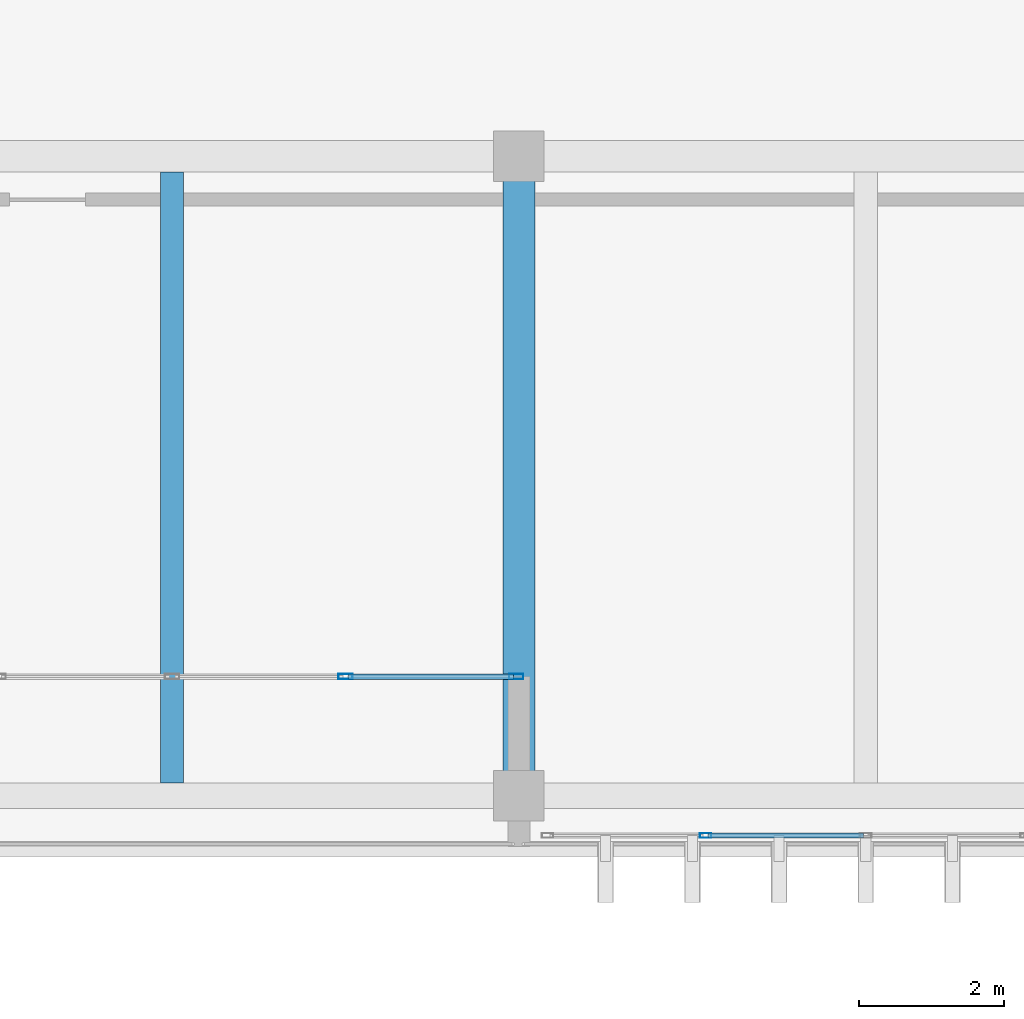
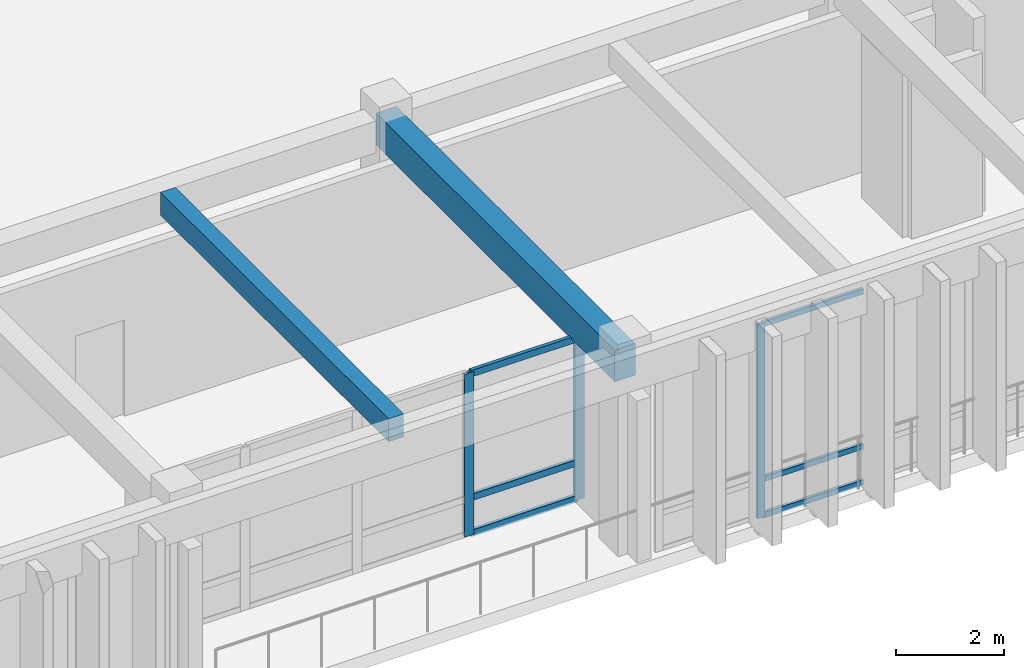
# One storey, part 11 of 133: 9 members, 2 beams, 2 elements without a shape of their own.
"""IFC4 building model written with IfcOpenShell, lengths in metres."""

import ifcopenshell
import ifcopenshell.guid

model = None  # the IFC model being written
_history = None  # IfcOwnerHistory: only IFC2X3 demands one
_inside = {}  # id of a spatial element -> (the spatial element, [elements in it])
_under = {}  # id of a project, library or spatial element -> (it, [spatial elements below it])
_declared = {}  # id of a project -> (the project, [libraries it declares])
_typed = {}  # id of a type object -> (the type object, [elements of that type])
_made_of = {}  # id of a material, layer set ... -> (it, [elements and type objects made of it])


def new_model(schema):
    """Start an empty IFC model of exactly this schema.

    Asked for "IFC4X3", IfcOpenShell would pick the latest addendum, in which some entities
    have other attributes; the version numbers below select the first issue.
    IFC2X3 requires an IfcOwnerHistory on every rooted entity: one is made here for all.
    """
    global model, _history
    if schema == "IFC4X3":
        model = ifcopenshell.file(schema_version=(4, 3, 0, 0))
    else:
        model = ifcopenshell.file(schema=schema)
    _inside.clear()
    _under.clear()
    _declared.clear()
    _typed.clear()
    _made_of.clear()
    _history = None
    if model.schema == "IFC2X3":
        org = make("IfcOrganization", Name="unknown")
        user = make(
            "IfcPersonAndOrganization",
            ThePerson=make("IfcPerson", FamilyName="unknown"),
            TheOrganization=org,
        )
        app = make(
            "IfcApplication",
            ApplicationDeveloper=org,
            Version="unknown",
            ApplicationFullName="unknown",
            ApplicationIdentifier="unknown",
        )
        _history = make(
            "IfcOwnerHistory",
            OwningUser=user,
            OwningApplication=app,
            ChangeAction="ADDED",
            CreationDate=0,
        )
    return model


def make(cls, **values):
    """One entity of the class cls with the attributes given. An attribute that is None is left unset."""
    return model.create_entity(
        cls, **{name: value for name, value in values.items() if value is not None}
    )


def rooted(cls, **values):
    """An entity with a GlobalId (a new one), such as an element, a storey or a relation."""
    return make(cls, GlobalId=ifcopenshell.guid.new(), OwnerHistory=_history, **values)


def si_unit(unit_type, name, prefix=None):
    """IfcSIUnit, for example si_unit("LENGTHUNIT", "METRE", prefix="MILLI")."""
    return make("IfcSIUnit", UnitType=unit_type, Prefix=prefix, Name=name)


def assignment(units):
    """IfcUnitAssignment: the units of a project."""
    return None if units is None else make("IfcUnitAssignment", Units=units)


def point(xyz):
    """IfcCartesianPoint."""
    return None if xyz is None else make("IfcCartesianPoint", Coordinates=xyz)


def direction(xyz):
    """IfcDirection."""
    return None if xyz is None else make("IfcDirection", DirectionRatios=xyz)


def frame(location, z_axis=None, x_axis=None):
    """IfcAxis2Placement3D, a coordinate frame: its origin and axes. An axis left out is left unset."""
    return make(
        "IfcAxis2Placement3D",
        Location=point(location),
        Axis=direction(z_axis),
        RefDirection=direction(x_axis),
    )


def frame_2d(location, x_axis=None):
    """IfcAxis2Placement2D, a coordinate frame in the plane: its origin and x axis."""
    return make(
        "IfcAxis2Placement2D", Location=point(location), RefDirection=direction(x_axis)
    )


def origin():
    """The frame at (0, 0, 0) with its axes left unset."""
    return frame((0.0, 0.0, 0.0))


def origin_2d():
    """The frame at (0, 0) in the plane with its x axis left unset."""
    return frame_2d((0.0, 0.0))


def place(relative_to, where):
    """IfcLocalPlacement: puts the frame where relative to a parent placement (None: the world)."""
    return make(
        "IfcLocalPlacement", PlacementRelTo=relative_to, RelativePlacement=where
    )


def context(
    kind, dimensions, precision=None, world=None, true_north=None, identifier=None
):
    """IfcGeometricRepresentationContext, for example the 3D "Model" context."""
    return make(
        "IfcGeometricRepresentationContext",
        ContextIdentifier=identifier,
        ContextType=kind,
        CoordinateSpaceDimension=dimensions,
        Precision=precision,
        WorldCoordinateSystem=world,
        TrueNorth=true_north,
    )


def subcontext(parent, identifier, kind, view, scale=None):
    """IfcGeometricRepresentationSubContext, for example "Body" below "Model"."""
    return make(
        "IfcGeometricRepresentationSubContext",
        ContextIdentifier=identifier,
        ContextType=kind,
        ParentContext=parent,
        TargetScale=scale,
        TargetView=view,
    )


def project(units=None, contexts=None):
    """IfcProject with its units and contexts."""
    return rooted(
        "IfcProject",
        Name="project",
        RepresentationContexts=contexts,
        UnitsInContext=assignment(units),
    )


def spatial(cls, under=None, at=None, **own):
    """A site, building, storey or space (cls), placed at a placement, below another one or the project."""
    s = rooted(cls, ObjectPlacement=at, **own)
    if under is not None:
        _under.setdefault(under.id(), (under, []))[1].append(s)
    return s


def profile(cls, at=None, kind="AREA", **sizes):
    """A parametric profile (cls). Its sizes go by their IFC names, for example OverallWidth=200.0."""
    return make(cls, ProfileType=kind, Position=at, **sizes)


def rectangle(**sizes):
    """IfcRectangleProfileDef."""
    return profile("IfcRectangleProfileDef", **sizes)


def hollow_rectangle(**sizes):
    """IfcRectangleHollowProfileDef."""
    return profile("IfcRectangleHollowProfileDef", **sizes)


def extrude(swept, where, along, depth):
    """IfcExtrudedAreaSolid: the profile swept, set in the frame where, extruded along a direction by depth."""
    return make(
        "IfcExtrudedAreaSolid",
        SweptArea=swept,
        Position=where,
        ExtrudedDirection=direction(along),
        Depth=depth,
    )


def shape(context_of_items, identifier, shape_type, items):
    """IfcShapeRepresentation: the items that make up one representation, for example the "Body"."""
    return make(
        "IfcShapeRepresentation",
        ContextOfItems=context_of_items,
        RepresentationIdentifier=identifier,
        RepresentationType=shape_type,
        Items=items,
    )


def material(Name=None, Category=None):
    """IfcMaterial."""
    return make("IfcMaterial", Name=Name, Category=Category)


def layer(
    of_material, thickness, ventilated=None, Name=None, Category=None, Priority=None
):
    """IfcMaterialLayer: one layer of a wall or slab, of a material (None: an air gap)."""
    return make(
        "IfcMaterialLayer",
        Material=of_material,
        LayerThickness=thickness,
        IsVentilated=ventilated,
        Name=Name,
        Category=Category,
        Priority=Priority,
    )


def layer_set(layers, Name=None):
    """IfcMaterialLayerSet."""
    return make("IfcMaterialLayerSet", MaterialLayers=layers, LayerSetName=Name)


def material_profile(
    of_material, cross_section, Name=None, Category=None, Priority=None
):
    """IfcMaterialProfile: a cross section and its material."""
    return make(
        "IfcMaterialProfile",
        Name=Name,
        Material=of_material,
        Profile=cross_section,
        Priority=Priority,
        Category=Category,
    )


def profile_set(profiles, Name=None, composite=None):
    """IfcMaterialProfileSet."""
    return make(
        "IfcMaterialProfileSet",
        Name=Name,
        MaterialProfiles=profiles,
        CompositeProfile=composite,
    )


def made_of(thing, what):
    """Note that an element or type object is made of a material, layer set ...; save() writes the relation."""
    if what is not None:
        _made_of.setdefault(what.id(), (what, []))[1].append(thing)
    return thing


def type_object(cls, material=None, **own):
    """A type object (cls), such as IfcWallType, which elements share."""
    return made_of(rooted(cls, **own), material)


def element(
    cls,
    number,
    at=None,
    inside=None,
    cuts=None,
    type_object=None,
    material=None,
    context=None,
    identifier="Body",
    shape_type=None,
    held_by="IfcProductDefinitionShape",
    body=None,
    shapes=None,
    **own,
):
    """One element of the class cls, such as IfcWall. Its Tag is "e" and its number.

    at: its placement. inside: the storey or other place that contains it. cuts: it is an
    opening in that element (IfcRelVoidsElement). A single representation is given by context,
    identifier, shape_type and body (its items); several are given by shapes. held_by: the class
    of the entity that holds the representations. save() writes the other relations.
    """
    e = rooted(cls, Tag="e%d" % number, ObjectPlacement=at, **own)
    if body is not None:
        shapes = [shape(context, identifier, shape_type, body)]
    if shapes is not None:
        e.Representation = make(held_by, Representations=shapes)
    if inside is not None:
        _inside.setdefault(inside.id(), (inside, []))[1].append(e)
    if cuts is not None:
        rooted(
            "IfcRelVoidsElement", RelatingBuildingElement=cuts, RelatedOpeningElement=e
        )
    if type_object is not None:
        _typed.setdefault(type_object.id(), (type_object, []))[1].append(e)
    return made_of(e, material)


def aggregate(whole, parts):
    """IfcRelAggregates: a whole, such as a stair, and the parts it consists of."""
    return rooted("IfcRelAggregates", RelatingObject=whole, RelatedObjects=parts)


def save(model, path):
    """Write the relations noted so far, then the file.

    IfcRelAggregates (storeys below a building ...), IfcRelContainedInSpatialStructure (elements
    in a storey), IfcRelDefinesByType, IfcRelAssociatesMaterial and IfcRelDeclares: one each for
    every whole, place, type object, material and project.
    """
    for whole, parts in _under.values():
        aggregate(whole, parts)
    for where, things in _inside.values():
        rooted(
            "IfcRelContainedInSpatialStructure",
            RelatedElements=things,
            RelatingStructure=where,
        )
    for kind, things in _typed.values():
        rooted("IfcRelDefinesByType", RelatedObjects=things, RelatingType=kind)
    for what, things in _made_of.values():
        rooted("IfcRelAssociatesMaterial", RelatedObjects=things, RelatingMaterial=what)
    for by, libraries in _declared.values():
        rooted("IfcRelDeclares", RelatingContext=by, RelatedDefinitions=libraries)
    model.write(path)


model = new_model("IFC4")

# Units and contexts
model_context = context("Model", 3, precision=1e-05, world=origin(), true_north=direction((0.0, 1.0)))
body_context = subcontext(model_context, "Body", "Model", "MODEL_VIEW")
ifc_project = project(units=[si_unit("LENGTHUNIT", "METRE"), si_unit("AREAUNIT", "SQUARE_METRE"), si_unit("VOLUMEUNIT", "CUBIC_METRE"), si_unit("PLANEANGLEUNIT", "RADIAN"), si_unit("MASSUNIT", "GRAM", prefix="KILO")], contexts=[model_context])

# Site, building, storey
site_placement = place(None, origin())
site = spatial("IfcSite", under=ifc_project, at=site_placement, CompositionType="ELEMENT")
building_placement = place(site_placement, origin())
building = spatial("IfcBuilding", under=site, at=building_placement, Name="Nakhvara Creek Congress Hotel", CompositionType="ELEMENT")
storey_placement = place(building_placement, frame((0.0, 0.0, 11.39990234375)))
storey = spatial("IfcBuildingStorey", under=building, at=storey_placement, Name="L02", CompositionType="ELEMENT", Elevation=11.39990234375)

# Beams
ifc_material_1 = material(Name="Concrete C40/50", Category="concrete")
ifc_material_profile_1 = material_profile(ifc_material_1, rectangle(XDim=0.320068359375, YDim=0.52001953125, at=origin_2d()), Name="RC-BM 320x520", Category="LoadBearing")
ifc_profile_set_1 = profile_set([ifc_material_profile_1], Name="Concrete C40/50")
beam_type_1 = type_object("IfcBeamType", Name="BM-RC-320X520", PredefinedType="JOIST", material=ifc_profile_set_1)
beam_1_placement = place(storey_placement, frame((81.60009765625, 0.925048828125, 4.16015625), z_axis=(0.0, 1.0, 0.0), x_axis=(-1.0, 0.0, 0.0)))
element("IfcBeam", 1, at=beam_1_placement, inside=storey, type_object=beam_type_1, Name="Secondary Joist BJ2-L02-1668", PredefinedType="JOIST", context=body_context, shape_type="SweptSolid", body=[
    extrude(rectangle(XDim=0.320068359375, YDim=0.52001953125, at=origin_2d()), origin(), (0.0, 0.0, 1.0), 8.454833984375),
])
ifc_material_profile_2 = material_profile(ifc_material_1, rectangle(XDim=0.43994140625, YDim=0.719970703125, at=origin_2d()), Name="RC-BM 440x720", Category="LoadBearing")
ifc_profile_set_2 = profile_set([ifc_material_profile_2], Name="Concrete C40/50")
beam_type_2 = type_object("IfcBeamType", Name="BM-RC-440X720", PredefinedType="BEAM", material=ifc_profile_set_2)
beam_2_placement = place(storey_placement, frame((86.39990234375, 0.75, 4.06005859375), z_axis=(0.0, 1.0, 0.0), x_axis=(-1.0, 0.0, 0.0)))
element("IfcBeam", 2, at=beam_2_placement, inside=storey, type_object=beam_type_2, Name="Beam B12-L02-1466", PredefinedType="BEAM", context=body_context, shape_type="SweptSolid", body=[
    extrude(rectangle(XDim=0.43994140625, YDim=0.719970703125, at=origin_2d()), origin(), (0.0, 0.0, 1.0), 8.85009765625),
])

# Curtain wall, member
ifc_material_2 = material(Name="Bronze-anodised aluminium AW-6063-T6 and double-silver low-E glass", Category="aluminium")
ifc_layer_1 = layer(ifc_material_2, 0.199951171875)
ifc_layer_set_1 = layer_set([ifc_layer_1], Name="Bronze-anodised aluminium AW-6063-T6 and double-silver low-E glass")
curtain_wall_type_1 = type_object("IfcCurtainWallType", Name="CW-SPA-STICK", PredefinedType="NOTDEFINED", material=ifc_layer_set_1)
curtain_wall_1_placement = place(storey_placement, origin())
curtain_wall_1 = element("IfcCurtainWall", 3, at=curtain_wall_1_placement, inside=storey, type_object=curtain_wall_type_1, Name="Curtain Wall CW093", PredefinedType="NOTDEFINED")
ifc_material_3 = material(Name="Bronze-anodised aluminium AW-6063-T6", Category="aluminium")
ifc_material_profile_3 = material_profile(ifc_material_3, hollow_rectangle(XDim=0.06494140625, YDim=0.159912109375, WallThickness=0.00390625, at=origin_2d()), Name="ALU-MULL 65x160x4", Category="LoadBearing")
ifc_profile_set_3 = profile_set([ifc_material_profile_3], Name="Bronze-anodised aluminium AW-6063-T6")
member_type_1 = type_object("IfcMemberType", Name="CW-MULL-160", PredefinedType="MULLION", material=ifc_profile_set_3)
member_1_placement = place(storey_placement, frame((88.982421875, 0.199951171875, 0.0), z_axis=(0.0, 0.0, 1.0), x_axis=(0.0, -1.0, 0.0)))
member_1 = element("IfcMember", 4, at=member_1_placement, type_object=member_type_1, Name="CW093 mullion 4", PredefinedType="MULLION", context=body_context, shape_type="SweptSolid", body=[
    extrude(hollow_rectangle(XDim=0.06494140625, YDim=0.159912109375, WallThickness=0.00390625, at=origin_2d()), origin(), (0.0, 0.0, 1.0), 4.39013671875),
])

# Curtain wall, members
ifc_layer_2 = layer(ifc_material_2, 0.219970703125)
ifc_layer_set_2 = layer_set([ifc_layer_2], Name="Bronze-anodised aluminium AW-6063-T6 and double-silver low-E glass")
curtain_wall_type_2 = type_object("IfcCurtainWallType", Name="CW-BOX-REC", PredefinedType="USERDEFINED", material=ifc_layer_set_2)
curtain_wall_2_placement = place(storey_placement, origin())
curtain_wall_2 = element("IfcCurtainWall", 5, at=curtain_wall_2_placement, inside=storey, type_object=curtain_wall_type_2, Name="Curtain Wall CW091", ObjectType="UNITISED", PredefinedType="USERDEFINED")
ifc_material_profile_4 = material_profile(ifc_material_3, hollow_rectangle(XDim=0.074951171875, YDim=0.199951171875, WallThickness=0.0048828125, at=origin_2d()), Name="ALU-MULL 75x200x5", Category="LoadBearing")
ifc_profile_set_4 = profile_set([ifc_material_profile_4], Name="Bronze-anodised aluminium AW-6063-T6")
member_type_2 = type_object("IfcMemberType", Name="CW-MULL-200", PredefinedType="MULLION", material=ifc_profile_set_4)
member_2_placement = place(storey_placement, frame((86.362548828125, 2.39990234375, 0.0), z_axis=(0.0, 0.0, 1.0), x_axis=(0.0, -1.0, 0.0)))
member_2 = element("IfcMember", 6, at=member_2_placement, type_object=member_type_2, Name="CW091 mullion 1", PredefinedType="MULLION", context=body_context, shape_type="SweptSolid", body=[
    extrude(hollow_rectangle(XDim=0.074951171875, YDim=0.199951171875, WallThickness=0.0048828125, at=origin_2d()), origin(), (0.0, 0.0, 1.0), 3.692138671875),
])
member_3_placement = place(storey_placement, frame((84.0, 2.39990234375, 0.0), z_axis=(0.0, 0.0, 1.0), x_axis=(0.0, -1.0, 0.0)))
member_3 = element("IfcMember", 7, at=member_3_placement, type_object=member_type_2, Name="CW091 mullion 2", PredefinedType="MULLION", context=body_context, shape_type="SweptSolid", body=[
    extrude(hollow_rectangle(XDim=0.074951171875, YDim=0.199951171875, WallThickness=0.0048828125, at=origin_2d()), origin(), (0.0, 0.0, 1.0), 3.692138671875),
])

# Member
ifc_material_profile_5 = material_profile(ifc_material_3, hollow_rectangle(XDim=0.06494140625, YDim=0.1201171875, WallThickness=0.00390625, at=origin_2d()), Name="ALU-TRAN 65x120x4", Category="LoadBearing")
ifc_profile_set_5 = profile_set([ifc_material_profile_5], Name="Bronze-anodised aluminium AW-6063-T6")
member_type_3 = type_object("IfcMemberType", Name="CW-TRAN-120", PredefinedType="USERDEFINED", material=ifc_profile_set_5)
member_4_placement = place(storey_placement, frame((91.16748046875, 0.199951171875, 0.03271484375), z_axis=(-1.0, 0.0, 0.0), x_axis=(0.0, -1.0, 0.0)))
member_4 = element("IfcMember", 8, at=member_4_placement, type_object=member_type_3, Name="CW093 transom 3.1", ObjectType="TRANSOM", PredefinedType="USERDEFINED", context=body_context, shape_type="SweptSolid", body=[
    extrude(hollow_rectangle(XDim=0.06494140625, YDim=0.1201171875, WallThickness=0.00390625, at=origin_2d()), origin(), (0.0, 0.0, 1.0), 2.152587890625),
])

member_5_placement = place(storey_placement, frame((91.16748046875, 0.199951171875, 0.85009765625), z_axis=(-1.0, 0.0, 0.0), x_axis=(0.0, -1.0, 0.0)))
member_5 = element("IfcMember", 9, at=member_5_placement, type_object=member_type_3, Name="CW093 transom 3.2", ObjectType="TRANSOM", PredefinedType="USERDEFINED", context=body_context, shape_type="SweptSolid", body=[
    extrude(hollow_rectangle(XDim=0.06494140625, YDim=0.1201171875, WallThickness=0.00390625, at=origin_2d()), origin(), (0.0, 0.0, 1.0), 2.152587890625),
])

member_6_placement = place(storey_placement, frame((91.16748046875, 0.199951171875, 4.357666015625), z_axis=(-1.0, 0.0, 0.0), x_axis=(0.0, -1.0, 0.0)))
member_6 = element("IfcMember", 10, at=member_6_placement, type_object=member_type_3, Name="CW093 transom 3.3", ObjectType="TRANSOM", PredefinedType="USERDEFINED", context=body_context, shape_type="SweptSolid", body=[
    extrude(hollow_rectangle(XDim=0.06494140625, YDim=0.1201171875, WallThickness=0.00390625, at=origin_2d()), origin(), (0.0, 0.0, 1.0), 2.152587890625),
])

aggregate(curtain_wall_1, [member_1, member_4, member_5, member_6])

ifc_material_profile_6 = material_profile(ifc_material_3, hollow_rectangle(XDim=0.074951171875, YDim=0.14990234375, WallThickness=0.00390625, at=origin_2d()), Name="ALU-TRAN 75x150x4", Category="LoadBearing")
ifc_profile_set_6 = profile_set([ifc_material_profile_6], Name="Bronze-anodised aluminium AW-6063-T6")
member_type_4 = type_object("IfcMemberType", Name="CW-TRAN-150", PredefinedType="USERDEFINED", material=ifc_profile_set_6)
member_7_placement = place(storey_placement, frame((86.324951171875, 2.39990234375, 0.03759765625), z_axis=(-1.0, 0.0, 0.0), x_axis=(0.0, -1.0, 0.0)))
member_7 = element("IfcMember", 11, at=member_7_placement, type_object=member_type_4, Name="CW091 transom 1.1", ObjectType="TRANSOM", PredefinedType="USERDEFINED", context=body_context, shape_type="SweptSolid", body=[
    extrude(hollow_rectangle(XDim=0.074951171875, YDim=0.14990234375, WallThickness=0.00390625, at=origin_2d()), origin(), (0.0, 0.0, 1.0), 2.287353515625),
])

member_8_placement = place(storey_placement, frame((86.324951171875, 2.39990234375, 0.85009765625), z_axis=(-1.0, 0.0, 0.0), x_axis=(0.0, -1.0, 0.0)))
member_8 = element("IfcMember", 12, at=member_8_placement, type_object=member_type_4, Name="CW091 transom 1.2", ObjectType="TRANSOM", PredefinedType="USERDEFINED", context=body_context, shape_type="SweptSolid", body=[
    extrude(hollow_rectangle(XDim=0.074951171875, YDim=0.14990234375, WallThickness=0.00390625, at=origin_2d()), origin(), (0.0, 0.0, 1.0), 2.287353515625),
])

member_9_placement = place(storey_placement, frame((86.324951171875, 2.39990234375, 3.654541015625), z_axis=(-1.0, 0.0, 0.0), x_axis=(0.0, -1.0, 0.0)))
member_9 = element("IfcMember", 13, at=member_9_placement, type_object=member_type_4, Name="CW091 transom 1.3", ObjectType="TRANSOM", PredefinedType="USERDEFINED", context=body_context, shape_type="SweptSolid", body=[
    extrude(hollow_rectangle(XDim=0.074951171875, YDim=0.14990234375, WallThickness=0.00390625, at=origin_2d()), origin(), (0.0, 0.0, 1.0), 2.287353515625),
])

aggregate(curtain_wall_2, [member_2, member_3, member_7, member_8, member_9])

save(model, "model.ifc")
